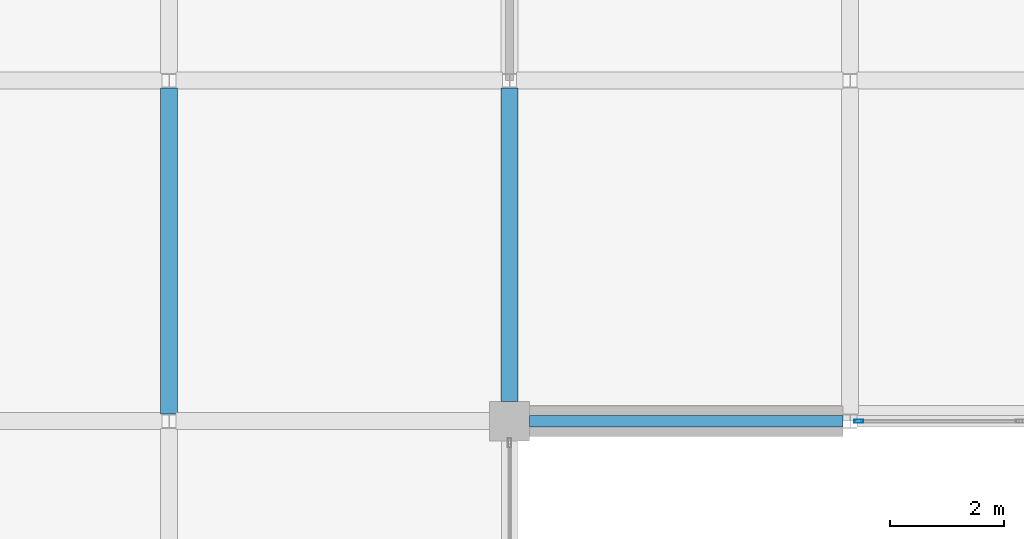
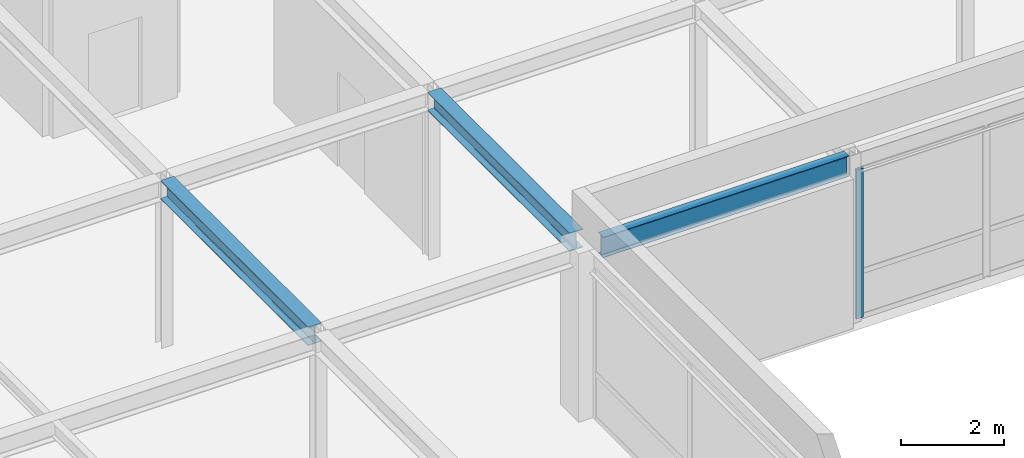
# One storey, part 34 of 111: 3 beams, 1 member, 1 element without a shape of its own.
"""IFC4 building model written with IfcOpenShell, lengths in metres."""

from ifc_helpers import new_model, si_unit, direction, frame, origin, origin_2d, place, context, subcontext, project, spatial, hollow_rectangle, i_section, extrude, material, layer, layer_set, material_profile, profile_set, type_object, element, aggregate, save


model = new_model("IFC4")

# Units and contexts
model_context = context("Model", 3, precision=1e-05, world=origin(), true_north=direction((0.0, 1.0)))
body_context = subcontext(model_context, "Body", "Model", "MODEL_VIEW")
ifc_project = project(units=[si_unit("LENGTHUNIT", "METRE"), si_unit("AREAUNIT", "SQUARE_METRE"), si_unit("VOLUMEUNIT", "CUBIC_METRE"), si_unit("PLANEANGLEUNIT", "RADIAN"), si_unit("MASSUNIT", "GRAM", prefix="KILO")], contexts=[model_context])

# Site, building, storey
site_placement = place(None, origin())
site = spatial("IfcSite", under=ifc_project, at=site_placement, CompositionType="ELEMENT")
building_placement = place(site_placement, origin())
building = spatial("IfcBuilding", under=site, at=building_placement, Name="Zlatovratsky Civic Hall", CompositionType="ELEMENT")
storey_placement = place(building_placement, frame((0.0, 0.0, 16.5)))
storey = spatial("IfcBuildingStorey", under=building, at=storey_placement, Name="L04", CompositionType="ELEMENT", Elevation=16.5)

# Beams
ifc_material_1 = material(Name="Steel S355", Category="steel")
ifc_material_profile_1 = material_profile(ifc_material_1, i_section(OverallWidth=0.198974609375, OverallDepth=0.491943359375, WebThickness=0.0087890625, FlangeThickness=0.011962890625, FilletRadius=0.01611328125, at=origin_2d()), Name="50B1")
ifc_profile_set_1 = profile_set([ifc_material_profile_1], Name="Steel S355")
beam_type_1 = type_object("IfcBeamType", Name="Beam_Spandrel_50B1", PredefinedType="SPANDREL", material=ifc_profile_set_1)
beam_1_placement = place(storey_placement, frame((54.35009765625, 12.0, 3.75390625), z_axis=(1.0, 0.0, 0.0), x_axis=(0.0, 1.0, 0.0)))
element("IfcBeam", 1, at=beam_1_placement, inside=storey, type_object=beam_type_1, Name="BM-3218", PredefinedType="SPANDREL", context=body_context, shape_type="SweptSolid", body=[
    extrude(i_section(OverallWidth=0.198974609375, OverallDepth=0.491943359375, WebThickness=0.0087890625, FlangeThickness=0.011962890625, FilletRadius=0.01611328125, at=origin_2d()), origin(), (0.0, 0.0, 1.0), 5.52490234375),
])
ifc_material_profile_2 = material_profile(ifc_material_1, i_section(OverallWidth=0.300048828125, OverallDepth=0.43994140625, WebThickness=0.010986328125, FlangeThickness=0.01806640625, FilletRadius=0.02197265625, at=origin_2d()), Name="45Sh1")
ifc_profile_set_2 = profile_set([ifc_material_profile_2], Name="Steel S355")
beam_type_2 = type_object("IfcBeamType", Name="Beam_TowerLow_45Sh1", PredefinedType="BEAM", material=ifc_profile_set_2)
beam_2_placement = place(storey_placement, frame((48.0, 12.125, 3.780029296875), z_axis=(0.0, 1.0, 0.0), x_axis=(-1.0, 0.0, 0.0)))
element("IfcBeam", 2, at=beam_2_placement, inside=storey, type_object=beam_type_2, Name="BM-3586", PredefinedType="BEAM", context=body_context, shape_type="SweptSolid", body=[
    extrude(i_section(OverallWidth=0.300048828125, OverallDepth=0.43994140625, WebThickness=0.010986328125, FlangeThickness=0.01806640625, FilletRadius=0.02197265625, at=origin_2d()), origin(), (0.0, 0.0, 1.0), 5.75),
])
beam_3_placement = place(storey_placement, frame((54.0, 12.35009765625, 3.780029296875), z_axis=(0.0, 1.0, 0.0), x_axis=(-1.0, 0.0, 0.0)))
element("IfcBeam", 3, at=beam_3_placement, inside=storey, type_object=beam_type_2, Name="BM-3603", PredefinedType="BEAM", context=body_context, shape_type="SweptSolid", body=[
    extrude(i_section(OverallWidth=0.300048828125, OverallDepth=0.43994140625, WebThickness=0.010986328125, FlangeThickness=0.01806640625, FilletRadius=0.02197265625, at=origin_2d()), origin(), (0.0, 0.0, 1.0), 5.52490234375),
])

# Curtain wall, member
ifc_material_2 = material(Name="Anodised bronze aluminium", Category="aluminium")
ifc_layer = layer(ifc_material_2, 0.159912109375)
ifc_layer_set = layer_set([ifc_layer], Name="Anodised bronze aluminium")
curtain_wall_type = type_object("IfcCurtainWallType", Name="CurtainWall_Bronze_5750x3550_14", PredefinedType="NOTDEFINED", material=ifc_layer_set)
curtain_wall_placement = place(storey_placement, origin())
curtain_wall = element("IfcCurtainWall", 4, at=curtain_wall_placement, inside=storey, type_object=curtain_wall_type, Name="CW-089", PredefinedType="NOTDEFINED")
ifc_material_profile_3 = material_profile(ifc_material_2, hollow_rectangle(XDim=0.06005859375, YDim=0.159912109375, WallThickness=0.00390625, at=origin_2d()), Name="ALU 60x160x4")
ifc_profile_set_3 = profile_set([ifc_material_profile_3], Name="Anodised bronze aluminium")
member_type = type_object("IfcMemberType", Name="CW_Mullion_60x160", PredefinedType="MULLION", material=ifc_profile_set_3)
member_placement = place(storey_placement, frame((60.155029296875, 12.0, 0.0), z_axis=(0.0, 0.0, 1.0), x_axis=(0.0, 1.0, 0.0)))
member = element("IfcMember", 5, at=member_placement, type_object=member_type, Name="CW-14 mullion 1", PredefinedType="MULLION", context=body_context, shape_type="SweptSolid", body=[
    extrude(hollow_rectangle(XDim=0.06005859375, YDim=0.159912109375, WallThickness=0.00390625, at=origin_2d()), origin(), (0.0, 0.0, 1.0), 3.550048828125),
])
aggregate(curtain_wall, [member])

save(model, "model.ifc")
